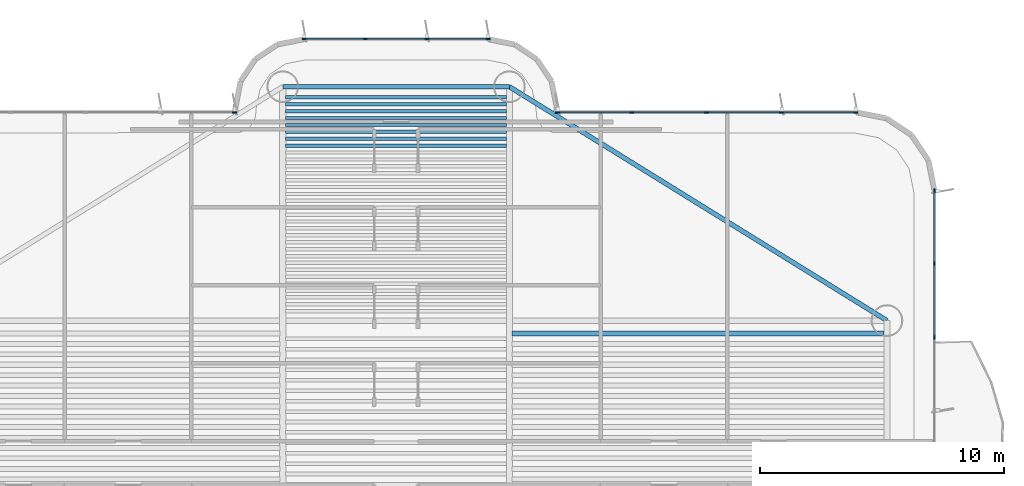
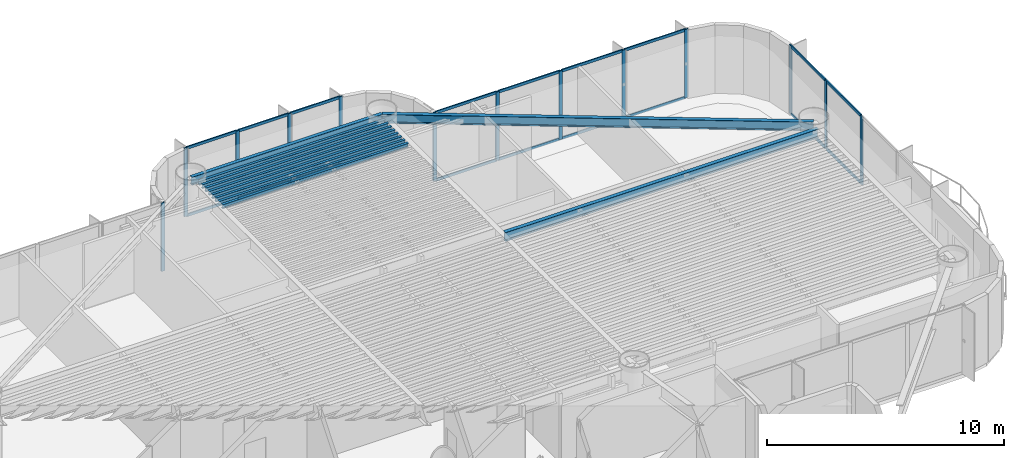
# One storey, part 7 of 16: 31 members, 11 beams, 4 elements without a shape of their own.
"""IFC4 building model written with IfcOpenShell, lengths in metres."""

from ifc_helpers import new_model, si_unit, direction, frame, origin, origin_2d, place, context, subcontext, project, spatial, rectangle, i_section, extrude, source, transform, mapped, material, layer, layer_set, material_profile, profile_set, type_object, element, aggregate, save


model = new_model("IFC4")

# Units and contexts
model_context = context("Model", 3, precision=1e-05, world=origin(), true_north=direction((0.0, 1.0)))
body_context = subcontext(model_context, "Body", "Model", "MODEL_VIEW")
ifc_project = project(units=[si_unit("LENGTHUNIT", "METRE"), si_unit("AREAUNIT", "SQUARE_METRE"), si_unit("VOLUMEUNIT", "CUBIC_METRE"), si_unit("PLANEANGLEUNIT", "RADIAN"), si_unit("MASSUNIT", "GRAM", prefix="KILO")], contexts=[model_context])

# Site, building, storey
site_placement = place(None, origin())
site = spatial("IfcSite", under=ifc_project, at=site_placement, CompositionType="ELEMENT")
building_placement = place(site_placement, origin())
building = spatial("IfcBuilding", under=site, at=building_placement, Name="Brelvock Crest Care Tower", CompositionType="ELEMENT")
storey_placement = place(building_placement, frame((0.0, 0.0, 104.93994140625)))
storey = spatial("IfcBuildingStorey", under=building, at=storey_placement, Name="L26", CompositionType="ELEMENT", Elevation=104.93994140625)

# Beams
ifc_material_1 = material(Name="Steel Grade 350", Category="steel")
ifc_material_profile_1 = material_profile(ifc_material_1, i_section(OverallWidth=0.177978515625, OverallDepth=0.406005859375, WebThickness=0.0078125, FlangeThickness=0.0126953125, FilletRadius=0.011474609375, at=origin_2d()), Name="410UB59.7")
ifc_profile_set_1 = profile_set([ifc_material_profile_1], Name="Steel Grade 350")
beam_type_1 = type_object("IfcBeamType", Name="BM-SP1", PredefinedType="SPANDREL", material=ifc_profile_set_1)
shared_shape_1 = source(origin(), body_context, "Body", "SweptSolid", [
    extrude(i_section(OverallWidth=0.177978515625, OverallDepth=0.406005859375, WebThickness=0.0078125, FlangeThickness=0.0126953125, FilletRadius=0.011474609375, at=origin_2d()), origin(), (0.0, 0.0, 1.0), 9.2998046875),
])
beam_1_placement = place(storey_placement, frame((31.35009765625, 48.449951171875, 3.3271484375), z_axis=(1.0, 0.0, 0.0), x_axis=(0.0, 1.0, 0.0)))
element("IfcBeam", 1, at=beam_1_placement, inside=storey, type_object=beam_type_1, Name="BM-TWR-L26-08", PredefinedType="SPANDREL", context=body_context, shape_type="MappedRepresentation", body=[
    mapped(shared_shape_1, transform((0.0, 0.0, 0.0), x_axis=(1.0, 0.0, 0.0), y_axis=(0.0, 1.0, 0.0), z_axis=(0.0, 0.0, 1.0), scale=1.0)),
])
ifc_material_profile_2 = material_profile(ifc_material_1, i_section(OverallWidth=0.134033203125, OverallDepth=0.20703125, WebThickness=0.00634765625, FlangeThickness=0.009521484375, FilletRadius=0.0087890625, at=origin_2d()), Name="200UB29.8")
ifc_profile_set_2 = profile_set([ifc_material_profile_2], Name="Steel Grade 350")
beam_type_2 = type_object("IfcBeamType", Name="BM-J4", PredefinedType="JOIST", material=ifc_profile_set_2)
shared_shape_2 = source(origin(), body_context, "Body", "SweptSolid", [
    extrude(i_section(OverallWidth=0.134033203125, OverallDepth=0.20703125, WebThickness=0.00634765625, FlangeThickness=0.009521484375, FilletRadius=0.0087890625, at=origin_2d()), origin(), (0.0, 0.0, 1.0), 9.06982421875),
])
for number, where, z_axis, x_axis, name in (
    (2, (31.465087890625, 46.03076171875, 3.426513671875), (1.0, 0.0, 0.0), (0.0, 1.0, 0.0), "BM-JN-L26-25"),
    (3, (31.465087890625, 46.31396484375, 3.426513671875), (1.0, 0.0, 0.0), (0.0, 1.0, 0.0), "BM-JN-L26-26"),
    (4, (31.465087890625, 46.59716796875, 3.426513671875), (1.0, 0.0, 0.0), (0.0, 1.0, 0.0), "BM-JN-L26-27"),
    (5, (31.465087890625, 46.88037109375, 3.426513671875), (1.0, 0.0, 0.0), (0.0, 1.0, 0.0), "BM-JN-L26-28"),
    (6, (31.465087890625, 47.16357421875, 3.426513671875), (1.0, 0.0, 0.0), (0.0, 1.0, 0.0), "BM-JN-L26-29"),
    (7, (31.465087890625, 47.44677734375, 3.426513671875), (1.0, 0.0, 0.0), (0.0, 1.0, 0.0), "BM-JN-L26-30"),
    (8, (31.465087890625, 47.72998046875, 3.426513671875), (1.0, 0.0, 0.0), (0.0, 1.0, 0.0), "BM-JN-L26-31"),
    (9, (31.465087890625, 48.01318359375, 3.426513671875), (1.0, 0.0, 0.0), (0.0, 1.0, 0.0), "BM-JN-L26-32"),
):
    element("IfcBeam", number, at=place(storey_placement, frame(where, z_axis=z_axis, x_axis=x_axis)), inside=storey, type_object=beam_type_2, Name=name, PredefinedType="JOIST", context=body_context, shape_type="MappedRepresentation", body=[
        mapped(shared_shape_2, transform((0.0, 0.0, 0.0), x_axis=(1.0, 0.0, 0.0), y_axis=(0.0, 1.0, 0.0), z_axis=(0.0, 0.0, 1.0), scale=1.0)),
    ])
ifc_material_profile_3 = material_profile(ifc_material_1, i_section(OverallWidth=0.19091796875, OverallDepth=0.4599609375, WebThickness=0.010009765625, FlangeThickness=0.01611328125, FilletRadius=0.011474609375, at=origin_2d()), Name="460UB82.1")
ifc_profile_set_3 = profile_set([ifc_material_profile_3], Name="Steel Grade 350")
beam_type_3 = type_object("IfcBeamType", Name="BM-G3", PredefinedType="BEAM", material=ifc_profile_set_3)
shared_shape_3 = source(origin(), body_context, "Body", "SweptSolid", [
    extrude(i_section(OverallWidth=0.19091796875, OverallDepth=0.4599609375, WebThickness=0.010009765625, FlangeThickness=0.01611328125, FilletRadius=0.011474609375, at=origin_2d()), origin(), (0.0, 0.0, 1.0), 15.27001953125),
])
beam_2_placement = place(storey_placement, frame((40.764892578125, 38.317626953125, 3.300048828125), z_axis=(1.0, 0.0, 0.0), x_axis=(0.0, 1.0, 0.0)))
element("IfcBeam", 10, at=beam_2_placement, inside=storey, type_object=beam_type_3, Name="BM-JE-L26-26", PredefinedType="BEAM", context=body_context, shape_type="MappedRepresentation", body=[
    mapped(shared_shape_3, transform((0.0, 0.0, 0.0), x_axis=(1.0, 0.0, 0.0), y_axis=(0.0, 1.0, 0.0), z_axis=(0.0, 0.0, 1.0), scale=1.0)),
])
ifc_material_profile_4 = material_profile(ifc_material_1, i_section(OverallWidth=0.19091796875, OverallDepth=0.4599609375, WebThickness=0.010009765625, FlangeThickness=0.01611328125, FilletRadius=0.011474609375, at=origin_2d()), Name="460UB82.1")
ifc_profile_set_4 = profile_set([ifc_material_profile_4], Name="Steel Grade 350")
beam_type_4 = type_object("IfcBeamType", Name="BM-SP2", PredefinedType="SPANDREL", material=ifc_profile_set_4)
shared_shape_4 = source(origin(), body_context, "Body", "SweptSolid", [
    extrude(i_section(OverallWidth=0.19091796875, OverallDepth=0.4599609375, WebThickness=0.010009765625, FlangeThickness=0.01611328125, FilletRadius=0.011474609375, at=origin_2d()), origin(), (0.0, 0.0, 1.0), 18.23193359375),
])
beam_3_placement = place(storey_placement, frame((40.64990234375, 48.449951171875, 3.300048828125), z_axis=(0.85015183248, -0.526537616635, 0.0), x_axis=(0.526537616635, 0.85015183248, 0.0)))
element("IfcBeam", 11, at=beam_3_placement, inside=storey, type_object=beam_type_4, Name="BM-TWR-L26-07", PredefinedType="SPANDREL", context=body_context, shape_type="MappedRepresentation", body=[
    mapped(shared_shape_4, transform((0.0, 0.0, 0.0), x_axis=(1.0, 0.0, 0.0), y_axis=(0.0, 1.0, 0.0), z_axis=(0.0, 0.0, 1.0), scale=1.0)),
])

# Curtain wall, member
ifc_material_2 = material(Name="Dark Glass Double Glazed Low-E", Category="glass")
ifc_layer = layer(ifc_material_2, 0.2099609375, Name="CWS-3")
ifc_layer_set = layer_set([ifc_layer], Name="Dark Glass Double Glazed Low-E")
curtain_wall_type = type_object("IfcCurtainWallType", Name="CWS-3", PredefinedType="NOTDEFINED", material=ifc_layer_set)
curtain_wall_1_placement = place(storey_placement, origin())
curtain_wall_1 = element("IfcCurtainWall", 12, at=curtain_wall_1_placement, inside=storey, type_object=curtain_wall_type, Name="L26 Curtain Wall E22", PredefinedType="NOTDEFINED")
ifc_material_3 = material(Name="Aluminium 6063-T6", Category="aluminium")
ifc_material_profile_5 = material_profile(ifc_material_3, rectangle(XDim=0.06005859375, YDim=0.179931640625, at=origin_2d()), Name="ALU60x180")
ifc_profile_set_5 = profile_set([ifc_material_profile_5], Name="Aluminium 6063-T6")
member_type_1 = type_object("IfcMemberType", Name="CWM-2", PredefinedType="MULLION", material=ifc_profile_set_5)
shared_shape_5 = source(origin(), body_context, "Body", "SweptSolid", [
    extrude(rectangle(XDim=0.06005859375, YDim=0.179931640625, at=origin_2d()), origin(), (0.0, 0.0, 1.0), 3.530029296875),
])
member_1_placement = place(storey_placement, frame((29.3701171875, 47.39990234375, 0.0), z_axis=(0.0, 0.0, 1.0), x_axis=(0.0, 1.0, 0.0)))
member_1 = element("IfcMember", 13, at=member_1_placement, type_object=member_type_1, Name="CW-3 mullion 5", PredefinedType="MULLION", context=body_context, shape_type="MappedRepresentation", body=[
    mapped(shared_shape_5, transform((0.0, 0.0, 0.0), x_axis=(1.0, 0.0, 0.0), y_axis=(0.0, 1.0, 0.0), z_axis=(0.0, 0.0, 1.0), scale=1.0)),
])
aggregate(curtain_wall_1, [member_1])

# Curtain wall, members
curtain_wall_2_placement = place(storey_placement, origin())
curtain_wall_2 = element("IfcCurtainWall", 14, at=curtain_wall_2_placement, inside=storey, type_object=curtain_wall_type, Name="L26 Curtain Wall E28", PredefinedType="NOTDEFINED")
member_2_placement = place(storey_placement, frame((32.22998046875, 50.39990234375, 0.0), z_axis=(0.0, 0.0, 1.0), x_axis=(0.0, 1.0, 0.0)))
member_2 = element("IfcMember", 15, at=member_2_placement, type_object=member_type_1, Name="CW-3 mullion 1", PredefinedType="MULLION", context=body_context, shape_type="MappedRepresentation", body=[
    mapped(shared_shape_5, transform((0.0, 0.0, 0.0), x_axis=(1.0, 0.0, 0.0), y_axis=(0.0, 1.0, 0.0), z_axis=(0.0, 0.0, 1.0), scale=1.0)),
])
member_3_placement = place(storey_placement, frame((34.7333984375, 50.39990234375, 0.0), z_axis=(0.0, 0.0, 1.0), x_axis=(0.0, 1.0, 0.0)))
member_3 = element("IfcMember", 16, at=member_3_placement, type_object=member_type_1, Name="CW-3 mullion 2", PredefinedType="MULLION", context=body_context, shape_type="MappedRepresentation", body=[
    mapped(shared_shape_5, transform((0.0, 0.0, 0.0), x_axis=(1.0, 0.0, 0.0), y_axis=(0.0, 1.0, 0.0), z_axis=(0.0, 0.0, 1.0), scale=1.0)),
])
member_4_placement = place(storey_placement, frame((37.2666015625, 50.39990234375, 0.0), z_axis=(0.0, 0.0, 1.0), x_axis=(0.0, 1.0, 0.0)))
member_4 = element("IfcMember", 17, at=member_4_placement, type_object=member_type_1, Name="CW-3 mullion 3", PredefinedType="MULLION", context=body_context, shape_type="MappedRepresentation", body=[
    mapped(shared_shape_5, transform((0.0, 0.0, 0.0), x_axis=(1.0, 0.0, 0.0), y_axis=(0.0, 1.0, 0.0), z_axis=(0.0, 0.0, 1.0), scale=1.0)),
])
member_5_placement = place(storey_placement, frame((39.77001953125, 50.39990234375, 0.0), z_axis=(0.0, 0.0, 1.0), x_axis=(0.0, 1.0, 0.0)))
member_5 = element("IfcMember", 18, at=member_5_placement, type_object=member_type_1, Name="CW-3 mullion 4", PredefinedType="MULLION", context=body_context, shape_type="MappedRepresentation", body=[
    mapped(shared_shape_5, transform((0.0, 0.0, 0.0), x_axis=(1.0, 0.0, 0.0), y_axis=(0.0, 1.0, 0.0), z_axis=(0.0, 0.0, 1.0), scale=1.0)),
])

curtain_wall_3_placement = place(storey_placement, origin())
curtain_wall_3 = element("IfcCurtainWall", 19, at=curtain_wall_3_placement, inside=storey, type_object=curtain_wall_type, Name="L26 Curtain Wall E34", PredefinedType="NOTDEFINED")
member_6_placement = place(storey_placement, frame((42.6298828125, 47.39990234375, 0.0), z_axis=(0.0, 0.0, 1.0), x_axis=(0.0, 1.0, 0.0)))
member_6 = element("IfcMember", 20, at=member_6_placement, type_object=member_type_1, Name="CW-3 mullion 1", PredefinedType="MULLION", context=body_context, shape_type="MappedRepresentation", body=[
    mapped(shared_shape_5, transform((0.0, 0.0, 0.0), x_axis=(1.0, 0.0, 0.0), y_axis=(0.0, 1.0, 0.0), z_axis=(0.0, 0.0, 1.0), scale=1.0)),
])
member_7_placement = place(storey_placement, frame((45.675048828125, 47.39990234375, 0.0), z_axis=(0.0, 0.0, 1.0), x_axis=(0.0, 1.0, 0.0)))
member_7 = element("IfcMember", 21, at=member_7_placement, type_object=member_type_1, Name="CW-3 mullion 2", PredefinedType="MULLION", context=body_context, shape_type="MappedRepresentation", body=[
    mapped(shared_shape_5, transform((0.0, 0.0, 0.0), x_axis=(1.0, 0.0, 0.0), y_axis=(0.0, 1.0, 0.0), z_axis=(0.0, 0.0, 1.0), scale=1.0)),
])
member_8_placement = place(storey_placement, frame((48.75, 47.39990234375, 0.0), z_axis=(0.0, 0.0, 1.0), x_axis=(0.0, 1.0, 0.0)))
member_8 = element("IfcMember", 22, at=member_8_placement, type_object=member_type_1, Name="CW-3 mullion 3", PredefinedType="MULLION", context=body_context, shape_type="MappedRepresentation", body=[
    mapped(shared_shape_5, transform((0.0, 0.0, 0.0), x_axis=(1.0, 0.0, 0.0), y_axis=(0.0, 1.0, 0.0), z_axis=(0.0, 0.0, 1.0), scale=1.0)),
])
member_9_placement = place(storey_placement, frame((51.824951171875, 47.39990234375, 0.0), z_axis=(0.0, 0.0, 1.0), x_axis=(0.0, 1.0, 0.0)))
member_9 = element("IfcMember", 23, at=member_9_placement, type_object=member_type_1, Name="CW-3 mullion 4", PredefinedType="MULLION", context=body_context, shape_type="MappedRepresentation", body=[
    mapped(shared_shape_5, transform((0.0, 0.0, 0.0), x_axis=(1.0, 0.0, 0.0), y_axis=(0.0, 1.0, 0.0), z_axis=(0.0, 0.0, 1.0), scale=1.0)),
])
member_10_placement = place(storey_placement, frame((54.8701171875, 47.39990234375, 0.0), z_axis=(0.0, 0.0, 1.0), x_axis=(0.0, 1.0, 0.0)))
member_10 = element("IfcMember", 24, at=member_10_placement, type_object=member_type_1, Name="CW-3 mullion 5", PredefinedType="MULLION", context=body_context, shape_type="MappedRepresentation", body=[
    mapped(shared_shape_5, transform((0.0, 0.0, 0.0), x_axis=(1.0, 0.0, 0.0), y_axis=(0.0, 1.0, 0.0), z_axis=(0.0, 0.0, 1.0), scale=1.0)),
])

curtain_wall_4_placement = place(storey_placement, origin())
curtain_wall_4 = element("IfcCurtainWall", 25, at=curtain_wall_4_placement, inside=storey, type_object=curtain_wall_type, Name="L26 Curtain Wall E39A", PredefinedType="NOTDEFINED")
member_11_placement = place(storey_placement, frame((58.10009765625, 44.169921875, 0.0), z_axis=(0.0, 0.0, 1.0), x_axis=(1.0, 0.0, 0.0)))
member_11 = element("IfcMember", 26, at=member_11_placement, type_object=member_type_1, Name="CW-3 mullion 1", PredefinedType="MULLION", context=body_context, shape_type="MappedRepresentation", body=[
    mapped(shared_shape_5, transform((0.0, 0.0, 0.0), x_axis=(1.0, 0.0, 0.0), y_axis=(0.0, 1.0, 0.0), z_axis=(0.0, 0.0, 1.0), scale=1.0)),
])
member_12_placement = place(storey_placement, frame((58.10009765625, 41.1875, 0.0), z_axis=(0.0, 0.0, 1.0), x_axis=(1.0, 0.0, 0.0)))
member_12 = element("IfcMember", 27, at=member_12_placement, type_object=member_type_1, Name="CW-3 mullion 2", PredefinedType="MULLION", context=body_context, shape_type="MappedRepresentation", body=[
    mapped(shared_shape_5, transform((0.0, 0.0, 0.0), x_axis=(1.0, 0.0, 0.0), y_axis=(0.0, 1.0, 0.0), z_axis=(0.0, 0.0, 1.0), scale=1.0)),
])
member_13_placement = place(storey_placement, frame((58.10009765625, 38.175048828125, 0.0), z_axis=(0.0, 0.0, 1.0), x_axis=(1.0, 0.0, 0.0)))
member_13 = element("IfcMember", 28, at=member_13_placement, type_object=member_type_1, Name="CW-3 mullion 3", PredefinedType="MULLION", context=body_context, shape_type="MappedRepresentation", body=[
    mapped(shared_shape_5, transform((0.0, 0.0, 0.0), x_axis=(1.0, 0.0, 0.0), y_axis=(0.0, 1.0, 0.0), z_axis=(0.0, 0.0, 1.0), scale=1.0)),
])
ifc_material_profile_6 = material_profile(ifc_material_3, rectangle(XDim=0.06005859375, YDim=0.139892578125, at=origin_2d()), Name="ALU60x140")
ifc_profile_set_6 = profile_set([ifc_material_profile_6], Name="Aluminium 6063-T6")
member_type_2 = type_object("IfcMemberType", Name="CWT-2", PredefinedType="USERDEFINED", material=ifc_profile_set_6)
shared_shape_6 = source(origin(), body_context, "Body", "SweptSolid", [
    extrude(rectangle(XDim=0.06005859375, YDim=0.139892578125, at=origin_2d()), origin(), (0.0, 0.0, 1.0), 2.952392578125),
])
member_14_placement = place(storey_placement, frame((58.10009765625, 41.157470703125, 0.030029296875), z_axis=(0.0, -1.0, 0.0), x_axis=(1.0, 0.0, 0.0)))
member_14 = element("IfcMember", 29, at=member_14_placement, type_object=member_type_2, Name="CW-3 transom 2.1", ObjectType="TRANSOM", PredefinedType="USERDEFINED", context=body_context, shape_type="MappedRepresentation", body=[
    mapped(shared_shape_6, transform((0.0, 0.0, 0.0), x_axis=(1.0, 0.0, 0.0), y_axis=(0.0, 1.0, 0.0), z_axis=(0.0, 0.0, 1.0), scale=1.0)),
])
member_15_placement = place(storey_placement, frame((58.10009765625, 41.157470703125, 3.5), z_axis=(0.0, -1.0, 0.0), x_axis=(1.0, 0.0, 0.0)))
member_15 = element("IfcMember", 30, at=member_15_placement, type_object=member_type_2, Name="CW-3 transom 2.2", ObjectType="TRANSOM", PredefinedType="USERDEFINED", context=body_context, shape_type="MappedRepresentation", body=[
    mapped(shared_shape_6, transform((0.0, 0.0, 0.0), x_axis=(1.0, 0.0, 0.0), y_axis=(0.0, 1.0, 0.0), z_axis=(0.0, 0.0, 1.0), scale=1.0)),
])
shared_shape_7 = source(origin(), body_context, "Body", "SweptSolid", [
    extrude(rectangle(XDim=0.06005859375, YDim=0.139892578125, at=origin_2d()), origin(), (0.0, 0.0, 1.0), 2.92236328125),
])
member_16_placement = place(storey_placement, frame((58.10009765625, 44.139892578125, 0.030029296875), z_axis=(0.0, -1.0, 0.0), x_axis=(1.0, 0.0, 0.0)))
member_16 = element("IfcMember", 31, at=member_16_placement, type_object=member_type_2, Name="CW-3 transom 1.1", ObjectType="TRANSOM", PredefinedType="USERDEFINED", context=body_context, shape_type="MappedRepresentation", body=[
    mapped(shared_shape_7, transform((0.0, 0.0, 0.0), x_axis=(1.0, 0.0, 0.0), y_axis=(0.0, 1.0, 0.0), z_axis=(0.0, 0.0, 1.0), scale=1.0)),
])
member_17_placement = place(storey_placement, frame((58.10009765625, 44.139892578125, 3.5), z_axis=(0.0, -1.0, 0.0), x_axis=(1.0, 0.0, 0.0)))
member_17 = element("IfcMember", 32, at=member_17_placement, type_object=member_type_2, Name="CW-3 transom 1.2", ObjectType="TRANSOM", PredefinedType="USERDEFINED", context=body_context, shape_type="MappedRepresentation", body=[
    mapped(shared_shape_7, transform((0.0, 0.0, 0.0), x_axis=(1.0, 0.0, 0.0), y_axis=(0.0, 1.0, 0.0), z_axis=(0.0, 0.0, 1.0), scale=1.0)),
])
aggregate(curtain_wall_4, [member_11, member_12, member_13, member_16, member_17, member_14, member_15])

# Member
shared_shape_8 = source(origin(), body_context, "Body", "SweptSolid", [
    extrude(rectangle(XDim=0.06005859375, YDim=0.139892578125, at=origin_2d()), origin(), (0.0, 0.0, 1.0), 2.985107421875),
])
member_18_placement = place(storey_placement, frame((42.659912109375, 47.39990234375, 0.030029296875), z_axis=(1.0, 0.0, 0.0), x_axis=(0.0, 1.0, 0.0)))
member_18 = element("IfcMember", 33, at=member_18_placement, type_object=member_type_2, Name="CW-3 transom 1.1", ObjectType="TRANSOM", PredefinedType="USERDEFINED", context=body_context, shape_type="MappedRepresentation", body=[
    mapped(shared_shape_8, transform((0.0, 0.0, 0.0), x_axis=(1.0, 0.0, 0.0), y_axis=(0.0, 1.0, 0.0), z_axis=(0.0, 0.0, 1.0), scale=1.0)),
])

member_19_placement = place(storey_placement, frame((42.659912109375, 47.39990234375, 3.5), z_axis=(1.0, 0.0, 0.0), x_axis=(0.0, 1.0, 0.0)))
member_19 = element("IfcMember", 34, at=member_19_placement, type_object=member_type_2, Name="CW-3 transom 1.2", ObjectType="TRANSOM", PredefinedType="USERDEFINED", context=body_context, shape_type="MappedRepresentation", body=[
    mapped(shared_shape_8, transform((0.0, 0.0, 0.0), x_axis=(1.0, 0.0, 0.0), y_axis=(0.0, 1.0, 0.0), z_axis=(0.0, 0.0, 1.0), scale=1.0)),
])

member_20_placement = place(storey_placement, frame((51.85498046875, 47.39990234375, 0.030029296875), z_axis=(1.0, 0.0, 0.0), x_axis=(0.0, 1.0, 0.0)))
member_20 = element("IfcMember", 35, at=member_20_placement, type_object=member_type_2, Name="CW-3 transom 4.1", ObjectType="TRANSOM", PredefinedType="USERDEFINED", context=body_context, shape_type="MappedRepresentation", body=[
    mapped(shared_shape_8, transform((0.0, 0.0, 0.0), x_axis=(1.0, 0.0, 0.0), y_axis=(0.0, 1.0, 0.0), z_axis=(0.0, 0.0, 1.0), scale=1.0)),
])

member_21_placement = place(storey_placement, frame((51.85498046875, 47.39990234375, 3.5), z_axis=(1.0, 0.0, 0.0), x_axis=(0.0, 1.0, 0.0)))
member_21 = element("IfcMember", 36, at=member_21_placement, type_object=member_type_2, Name="CW-3 transom 4.2", ObjectType="TRANSOM", PredefinedType="USERDEFINED", context=body_context, shape_type="MappedRepresentation", body=[
    mapped(shared_shape_8, transform((0.0, 0.0, 0.0), x_axis=(1.0, 0.0, 0.0), y_axis=(0.0, 1.0, 0.0), z_axis=(0.0, 0.0, 1.0), scale=1.0)),
])

shared_shape_9 = source(origin(), body_context, "Body", "SweptSolid", [
    extrude(rectangle(XDim=0.06005859375, YDim=0.139892578125, at=origin_2d()), origin(), (0.0, 0.0, 1.0), 3.014892578125),
])
member_22_placement = place(storey_placement, frame((45.705078125, 47.39990234375, 0.030029296875), z_axis=(1.0, 0.0, 0.0), x_axis=(0.0, 1.0, 0.0)))
member_22 = element("IfcMember", 37, at=member_22_placement, type_object=member_type_2, Name="CW-3 transom 2.1", ObjectType="TRANSOM", PredefinedType="USERDEFINED", context=body_context, shape_type="MappedRepresentation", body=[
    mapped(shared_shape_9, transform((0.0, 0.0, 0.0), x_axis=(1.0, 0.0, 0.0), y_axis=(0.0, 1.0, 0.0), z_axis=(0.0, 0.0, 1.0), scale=1.0)),
])

member_23_placement = place(storey_placement, frame((45.705078125, 47.39990234375, 3.5), z_axis=(1.0, 0.0, 0.0), x_axis=(0.0, 1.0, 0.0)))
member_23 = element("IfcMember", 38, at=member_23_placement, type_object=member_type_2, Name="CW-3 transom 2.2", ObjectType="TRANSOM", PredefinedType="USERDEFINED", context=body_context, shape_type="MappedRepresentation", body=[
    mapped(shared_shape_9, transform((0.0, 0.0, 0.0), x_axis=(1.0, 0.0, 0.0), y_axis=(0.0, 1.0, 0.0), z_axis=(0.0, 0.0, 1.0), scale=1.0)),
])

member_24_placement = place(storey_placement, frame((48.780029296875, 47.39990234375, 0.030029296875), z_axis=(1.0, 0.0, 0.0), x_axis=(0.0, 1.0, 0.0)))
member_24 = element("IfcMember", 39, at=member_24_placement, type_object=member_type_2, Name="CW-3 transom 3.1", ObjectType="TRANSOM", PredefinedType="USERDEFINED", context=body_context, shape_type="MappedRepresentation", body=[
    mapped(shared_shape_9, transform((0.0, 0.0, 0.0), x_axis=(1.0, 0.0, 0.0), y_axis=(0.0, 1.0, 0.0), z_axis=(0.0, 0.0, 1.0), scale=1.0)),
])

member_25_placement = place(storey_placement, frame((48.780029296875, 47.39990234375, 3.5), z_axis=(1.0, 0.0, 0.0), x_axis=(0.0, 1.0, 0.0)))
member_25 = element("IfcMember", 40, at=member_25_placement, type_object=member_type_2, Name="CW-3 transom 3.2", ObjectType="TRANSOM", PredefinedType="USERDEFINED", context=body_context, shape_type="MappedRepresentation", body=[
    mapped(shared_shape_9, transform((0.0, 0.0, 0.0), x_axis=(1.0, 0.0, 0.0), y_axis=(0.0, 1.0, 0.0), z_axis=(0.0, 0.0, 1.0), scale=1.0)),
])

aggregate(curtain_wall_3, [member_6, member_7, member_8, member_9, member_10, member_18, member_19, member_22, member_23, member_24, member_25, member_20, member_21])

shared_shape_10 = source(origin(), body_context, "Body", "SweptSolid", [
    extrude(rectangle(XDim=0.06005859375, YDim=0.139892578125, at=origin_2d()), origin(), (0.0, 0.0, 1.0), 2.443359375),
])
member_26_placement = place(storey_placement, frame((32.260009765625, 50.39990234375, 0.030029296875), z_axis=(1.0, 0.0, 0.0), x_axis=(0.0, 1.0, 0.0)))
member_26 = element("IfcMember", 41, at=member_26_placement, type_object=member_type_2, Name="CW-3 transom 1.1", ObjectType="TRANSOM", PredefinedType="USERDEFINED", context=body_context, shape_type="MappedRepresentation", body=[
    mapped(shared_shape_10, transform((0.0, 0.0, 0.0), x_axis=(1.0, 0.0, 0.0), y_axis=(0.0, 1.0, 0.0), z_axis=(0.0, 0.0, 1.0), scale=1.0)),
])

member_27_placement = place(storey_placement, frame((32.260009765625, 50.39990234375, 3.5), z_axis=(1.0, 0.0, 0.0), x_axis=(0.0, 1.0, 0.0)))
member_27 = element("IfcMember", 42, at=member_27_placement, type_object=member_type_2, Name="CW-3 transom 1.2", ObjectType="TRANSOM", PredefinedType="USERDEFINED", context=body_context, shape_type="MappedRepresentation", body=[
    mapped(shared_shape_10, transform((0.0, 0.0, 0.0), x_axis=(1.0, 0.0, 0.0), y_axis=(0.0, 1.0, 0.0), z_axis=(0.0, 0.0, 1.0), scale=1.0)),
])

member_28_placement = place(storey_placement, frame((37.296630859375, 50.39990234375, 0.030029296875), z_axis=(1.0, 0.0, 0.0), x_axis=(0.0, 1.0, 0.0)))
member_28 = element("IfcMember", 43, at=member_28_placement, type_object=member_type_2, Name="CW-3 transom 3.1", ObjectType="TRANSOM", PredefinedType="USERDEFINED", context=body_context, shape_type="MappedRepresentation", body=[
    mapped(shared_shape_10, transform((0.0, 0.0, 0.0), x_axis=(1.0, 0.0, 0.0), y_axis=(0.0, 1.0, 0.0), z_axis=(0.0, 0.0, 1.0), scale=1.0)),
])

member_29_placement = place(storey_placement, frame((37.296630859375, 50.39990234375, 3.5), z_axis=(1.0, 0.0, 0.0), x_axis=(0.0, 1.0, 0.0)))
member_29 = element("IfcMember", 44, at=member_29_placement, type_object=member_type_2, Name="CW-3 transom 3.2", ObjectType="TRANSOM", PredefinedType="USERDEFINED", context=body_context, shape_type="MappedRepresentation", body=[
    mapped(shared_shape_10, transform((0.0, 0.0, 0.0), x_axis=(1.0, 0.0, 0.0), y_axis=(0.0, 1.0, 0.0), z_axis=(0.0, 0.0, 1.0), scale=1.0)),
])

shared_shape_11 = source(origin(), body_context, "Body", "SweptSolid", [
    extrude(rectangle(XDim=0.06005859375, YDim=0.139892578125, at=origin_2d()), origin(), (0.0, 0.0, 1.0), 2.47314453125),
])
member_30_placement = place(storey_placement, frame((34.763427734375, 50.39990234375, 0.030029296875), z_axis=(1.0, 0.0, 0.0), x_axis=(0.0, 1.0, 0.0)))
member_30 = element("IfcMember", 45, at=member_30_placement, type_object=member_type_2, Name="CW-3 transom 2.1", ObjectType="TRANSOM", PredefinedType="USERDEFINED", context=body_context, shape_type="MappedRepresentation", body=[
    mapped(shared_shape_11, transform((0.0, 0.0, 0.0), x_axis=(1.0, 0.0, 0.0), y_axis=(0.0, 1.0, 0.0), z_axis=(0.0, 0.0, 1.0), scale=1.0)),
])

member_31_placement = place(storey_placement, frame((34.763427734375, 50.39990234375, 3.5), z_axis=(1.0, 0.0, 0.0), x_axis=(0.0, 1.0, 0.0)))
member_31 = element("IfcMember", 46, at=member_31_placement, type_object=member_type_2, Name="CW-3 transom 2.2", ObjectType="TRANSOM", PredefinedType="USERDEFINED", context=body_context, shape_type="MappedRepresentation", body=[
    mapped(shared_shape_11, transform((0.0, 0.0, 0.0), x_axis=(1.0, 0.0, 0.0), y_axis=(0.0, 1.0, 0.0), z_axis=(0.0, 0.0, 1.0), scale=1.0)),
])

aggregate(curtain_wall_2, [member_2, member_3, member_4, member_5, member_26, member_27, member_30, member_31, member_28, member_29])

save(model, "model.ifc")
